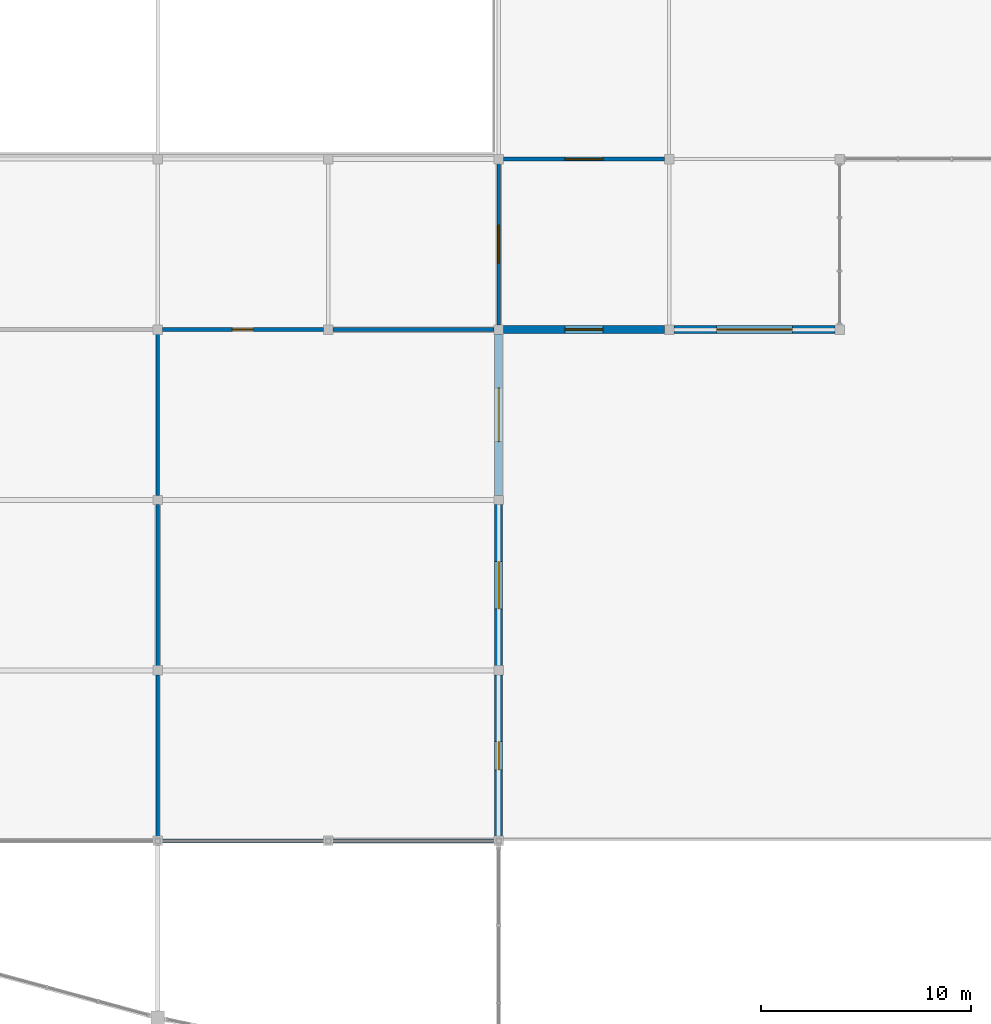
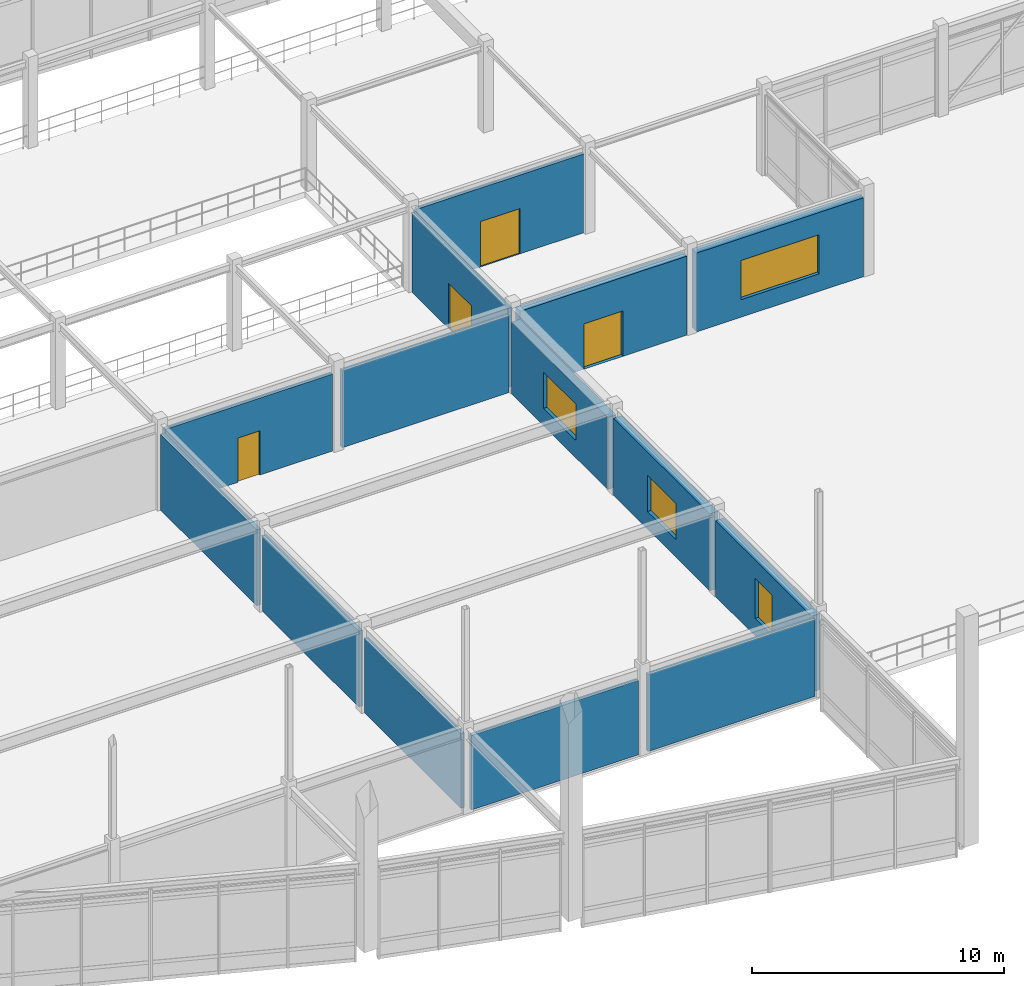
# One storey, part 65 of 89: 14 walls, 4 doors, 4 windows, 8 openings.
"""IFC4 building model written with IfcOpenShell, lengths in metres."""

from ifc_helpers import new_model, si_unit, direction, frame, frame_2d, origin, place, context, subcontext, project, spatial, rectangle, extrude, material, layer, layer_set, type_object, element, fill, save


model = new_model("IFC4")

# Units and contexts
model_context = context("Model", 3, precision=1e-05, world=origin(), true_north=direction((0.0, 1.0)))
body_context = subcontext(model_context, "Body", "Model", "MODEL_VIEW")
ifc_project = project(units=[si_unit("LENGTHUNIT", "METRE"), si_unit("AREAUNIT", "SQUARE_METRE"), si_unit("VOLUMEUNIT", "CUBIC_METRE"), si_unit("PLANEANGLEUNIT", "RADIAN"), si_unit("MASSUNIT", "GRAM", prefix="KILO")], contexts=[model_context])

# Site, building, storey
site_placement = place(None, origin())
site = spatial("IfcSite", under=ifc_project, at=site_placement, CompositionType="ELEMENT")
building_placement = place(site_placement, origin())
building = spatial("IfcBuilding", under=site, at=building_placement, Name="Vaudrelin Polytechnic", CompositionType="ELEMENT")
storey_placement = place(building_placement, frame((0.0, 0.0, 9.68994140625)))
storey = spatial("IfcBuildingStorey", under=building, at=storey_placement, Name="L02", CompositionType="ELEMENT", Elevation=9.68994140625)

# Wall, opening, window
ifc_material_1 = material(Name="Architectural ribbed precast concrete 40 MPa", Category="concrete")
ifc_layer_1 = layer(ifc_material_1, 0.3798828125)
ifc_layer_set_1 = layer_set([ifc_layer_1], Name="Architectural ribbed precast concrete 40 MPa")
wall_type_1 = type_object("IfcWallType", Name="WAL-EW-PREC380", PredefinedType="STANDARD", material=ifc_layer_set_1)
wall_1_placement = place(storey_placement, frame((81.0, 0.222900390625, 0.0), z_axis=(0.0, 0.0, 1.0), x_axis=(0.0, 1.0, 0.0)))
wall_1 = element("IfcWall", 1, at=wall_1_placement, inside=storey, type_object=wall_type_1, Name="Exterior wall L02 E_V2_00", PredefinedType="STANDARD", context=body_context, shape_type="SweptSolid", body=[
    extrude(rectangle(XDim=7.654052734375, YDim=0.3798828125, at=frame_2d((3.8271484375, 0.0))), origin(), (0.0, 0.0, 1.0), 3.68212890625),
])
opening_1_placement = place(wall_1_placement, frame((3.152099609375, 0.0, 0.85009765625)))
opening_1 = element("IfcOpeningElement", 2, at=opening_1_placement, cuts=wall_1, Name="Opening W-L02-E-V2-01", PredefinedType="OPENING", context=body_context, shape_type="SweptSolid", body=[
    extrude(rectangle(XDim=1.35009765625, YDim=1.949951171875, at=frame_2d((0.675048828125, 0.97509765625))), frame((0.0, 0.199951171875, 0.0), z_axis=(0.0, -1.0, 0.0), x_axis=(1.0, 0.0, 0.0)), (0.0, 0.0, 1.0), 0.39990234375),
])
ifc_material_2 = material(Name="Thermally broken aluminium frame with triple low-e glazing", Category="aluminium")
window_type_1 = type_object("IfcWindowType", Name="WIN-WN-14", PartitioningType="SINGLE_PANEL", PredefinedType="WINDOW", material=ifc_material_2)
window_1_placement = place(opening_1_placement, origin())
window_1 = element("IfcWindow", 3, at=window_1_placement, inside=storey, type_object=window_type_1, Name="Facade window L02-E_V2_00", OverallHeight=1.949951171875, OverallWidth=1.35009765625, PartitioningType="SINGLE_PANEL", PredefinedType="WINDOW", context=body_context, shape_type="SweptSolid", body=[
    extrude(rectangle(XDim=1.35009765625, YDim=1.949951171875, at=frame_2d((0.675048828125, 0.97509765625))), frame((0.0, 0.030029296875, 0.0), z_axis=(0.0, -1.0, 0.0), x_axis=(1.0, 0.0, 0.0)), (0.0, 0.0, 1.0), 0.06005859375),
])
fill(opening_1, window_1)

wall_2_placement = place(storey_placement, frame((81.0, 8.322998046875, 0.0), z_axis=(0.0, 0.0, 1.0), x_axis=(0.0, 1.0, 0.0)))
wall_2 = element("IfcWall", 4, at=wall_2_placement, inside=storey, type_object=wall_type_1, Name="Exterior wall L02 E_V2_01", PredefinedType="STANDARD", context=body_context, shape_type="SweptSolid", body=[
    extrude(rectangle(XDim=7.654052734375, YDim=0.3798828125, at=frame_2d((3.8271484375, 0.0))), origin(), (0.0, 0.0, 1.0), 3.732177734375),
])
opening_2_placement = place(wall_2_placement, frame((2.701904296875, 0.0, 0.85009765625)))
opening_2 = element("IfcOpeningElement", 5, at=opening_2_placement, cuts=wall_2, Name="Opening W-L02-E-V2-02", PredefinedType="OPENING", context=body_context, shape_type="SweptSolid", body=[
    extrude(rectangle(XDim=2.25, YDim=1.75, at=frame_2d((1.125, 0.875))), frame((0.0, 0.199951171875, 0.0), z_axis=(0.0, -1.0, 0.0), x_axis=(1.0, 0.0, 0.0)), (0.0, 0.0, 1.0), 0.39990234375),
])
window_type_2 = type_object("IfcWindowType", Name="WIN-WN-15", PartitioningType="SINGLE_PANEL", PredefinedType="WINDOW", material=ifc_material_2)
window_2_placement = place(opening_2_placement, origin())
window_2 = element("IfcWindow", 6, at=window_2_placement, inside=storey, type_object=window_type_2, Name="Facade window L02-E_V2_01", OverallHeight=1.75, OverallWidth=2.25, PartitioningType="SINGLE_PANEL", PredefinedType="WINDOW", context=body_context, shape_type="SweptSolid", body=[
    extrude(rectangle(XDim=2.25, YDim=1.75, at=frame_2d((1.125, 0.875))), frame((0.0, 0.030029296875, 0.0), z_axis=(0.0, -1.0, 0.0), x_axis=(1.0, 0.0, 0.0)), (0.0, 0.0, 1.0), 0.06005859375),
])
fill(opening_2, window_2)

wall_3_placement = place(storey_placement, frame((81.0, 16.423095703125, 0.0), z_axis=(0.0, 0.0, 1.0), x_axis=(0.0, 1.0, 0.0)))
wall_3 = element("IfcWall", 7, at=wall_3_placement, inside=storey, type_object=wall_type_1, Name="Exterior wall L02 E_V2_02", PredefinedType="STANDARD", context=body_context, shape_type="SweptSolid", body=[
    extrude(rectangle(XDim=7.65380859375, YDim=0.3798828125, at=frame_2d((3.826904296875, 0.0))), origin(), (0.0, 0.0, 1.0), 3.491943359375),
])
opening_3_placement = place(wall_3_placement, frame((2.552001953125, 0.0, 0.85009765625)))
opening_3 = element("IfcOpeningElement", 8, at=opening_3_placement, cuts=wall_3, Name="Opening W-L02-E-V2-03", PredefinedType="OPENING", context=body_context, shape_type="SweptSolid", body=[
    extrude(rectangle(XDim=2.550048828125, YDim=1.75, at=frame_2d((1.27490234375, 0.875))), frame((0.0, 0.199951171875, 0.0), z_axis=(0.0, -1.0, 0.0), x_axis=(1.0, 0.0, 0.0)), (0.0, 0.0, 1.0), 0.39990234375),
])
window_type_3 = type_object("IfcWindowType", Name="WIN-WN-16", PartitioningType="SINGLE_PANEL", PredefinedType="WINDOW", material=ifc_material_2)
window_3_placement = place(opening_3_placement, origin())
window_3 = element("IfcWindow", 9, at=window_3_placement, inside=storey, type_object=window_type_3, Name="Facade window L02-E_V2_02", OverallHeight=1.75, OverallWidth=2.550048828125, PartitioningType="SINGLE_PANEL", PredefinedType="WINDOW", context=body_context, shape_type="SweptSolid", body=[
    extrude(rectangle(XDim=2.550048828125, YDim=1.75, at=frame_2d((1.27490234375, 0.875))), frame((0.0, 0.030029296875, 0.0), z_axis=(0.0, -1.0, 0.0), x_axis=(1.0, 0.0, 0.0)), (0.0, 0.0, 1.0), 0.06005859375),
])
fill(opening_3, window_3)

# Wall, opening, door
ifc_material_3 = material(Name="Precast concrete 35 MPa with standing-seam zinc rainscreen", Category="concrete")
ifc_layer_2 = layer(ifc_material_3, 0.360107421875)
ifc_layer_set_2 = layer_set([ifc_layer_2], Name="Precast concrete 35 MPa with standing-seam zinc rainscreen")
wall_type_2 = type_object("IfcWallType", Name="WAL-EW-ZINC360", PredefinedType="STANDARD", material=ifc_layer_set_2)
wall_4_placement = place(storey_placement, frame((81.222900390625, 24.300048828125, 0.0), z_axis=(0.0, 0.0, 1.0), x_axis=(1.0, 0.0, 0.0)))
wall_4 = element("IfcWall", 10, at=wall_4_placement, inside=storey, type_object=wall_type_2, Name="Exterior wall L02 S_RGL_00", PredefinedType="STANDARD", context=body_context, shape_type="SweptSolid", body=[
    extrude(rectangle(XDim=7.654052734375, YDim=0.360107421875, at=frame_2d((3.8271484375, 0.0))), origin(), (0.0, 0.0, 1.0), 3.8359375),
])
opening_4_placement = place(wall_4_placement, frame((4.72705078125, 0.0, 0.0), z_axis=(0.0, 0.0, 1.0), x_axis=(-1.0, 0.0, 0.0)))
opening_4 = element("IfcOpeningElement", 11, at=opening_4_placement, cuts=wall_4, Name="Opening TD-02-01", PredefinedType="OPENING", context=body_context, shape_type="SweptSolid", body=[
    extrude(rectangle(XDim=1.800048828125, YDim=2.199951171875, at=frame_2d((0.89990234375, 1.10009765625))), frame((0.0, 0.18994140625, 0.0), z_axis=(0.0, -1.0, 0.0), x_axis=(1.0, 0.0, 0.0)), (0.0, 0.0, 1.0), 0.380126953125),
])
ifc_material_4 = material(Name="Thermally broken anodised aluminium AA 6063-T6", Category="aluminium")
door_type_1 = type_object("IfcDoorType", Name="DOR-ED-03", OperationType="DOUBLE_SWING_LEFT", PredefinedType="DOOR", material=ifc_material_4)
door_1_placement = place(opening_4_placement, origin())
door_1 = element("IfcDoor", 12, at=door_1_placement, inside=storey, type_object=door_type_1, Name="Exterior exit door TD-02-01", OperationType="DOUBLE_SWING_LEFT", OverallHeight=2.199951171875, OverallWidth=1.800048828125, PredefinedType="DOOR", context=body_context, shape_type="SweptSolid", body=[
    extrude(rectangle(XDim=1.800048828125, YDim=2.199951171875, at=frame_2d((0.89990234375, 1.10009765625))), frame((0.0, 0.02490234375, 0.0), z_axis=(0.0, -1.0, 0.0), x_axis=(1.0, 0.0, 0.0)), (0.0, 0.0, 1.0), 0.050048828125),
])
fill(opening_4, door_1)

# Wall, opening, window
wall_5_placement = place(storey_placement, frame((89.322998046875, 24.300048828125, 0.0), z_axis=(0.0, 0.0, 1.0), x_axis=(1.0, 0.0, 0.0)))
wall_5 = element("IfcWall", 13, at=wall_5_placement, inside=storey, type_object=wall_type_2, Name="Exterior wall L02 S_RGL_01", PredefinedType="STANDARD", context=body_context, shape_type="SweptSolid", body=[
    extrude(rectangle(XDim=7.654052734375, YDim=0.360107421875, at=frame_2d((3.8271484375, 0.0))), origin(), (0.0, 0.0, 1.0), 3.824951171875),
])
opening_5_placement = place(wall_5_placement, frame((2.027099609375, 0.0, 0.85009765625)))
opening_5 = element("IfcOpeningElement", 14, at=opening_5_placement, cuts=wall_5, Name="Opening W-L02-S-RGL-02", PredefinedType="OPENING", context=body_context, shape_type="SweptSolid", body=[
    extrude(rectangle(XDim=3.60009765625, YDim=1.89990234375, at=frame_2d((1.800048828125, 0.949951171875))), frame((0.0, 0.18994140625, 0.0), z_axis=(0.0, -1.0, 0.0), x_axis=(1.0, 0.0, 0.0)), (0.0, 0.0, 1.0), 0.380126953125),
])
window_type_4 = type_object("IfcWindowType", Name="WIN-WN-08", PartitioningType="SINGLE_PANEL", PredefinedType="WINDOW", material=ifc_material_2)
window_4_placement = place(opening_5_placement, origin())
window_4 = element("IfcWindow", 15, at=window_4_placement, inside=storey, type_object=window_type_4, Name="Facade window L02-S_RGL_01", OverallHeight=1.89990234375, OverallWidth=3.60009765625, PartitioningType="SINGLE_PANEL", PredefinedType="WINDOW", context=body_context, shape_type="SweptSolid", body=[
    extrude(rectangle(XDim=3.60009765625, YDim=1.89990234375, at=frame_2d((1.800048828125, 0.949951171875))), frame((0.0, 0.030029296875, 0.0), z_axis=(0.0, -1.0, 0.0), x_axis=(1.0, 0.0, 0.0)), (0.0, 0.0, 1.0), 0.06005859375),
])
fill(opening_5, window_4)

# Walls
ifc_material_5 = material(Name="Acoustic double-stud gypsum & mineral-wool partition", Category="gypsum")
ifc_layer_3 = layer(ifc_material_5, 0.179931640625)
ifc_layer_set_3 = layer_set([ifc_layer_3], Name="Acoustic double-stud gypsum & mineral-wool partition")
wall_type_3 = type_object("IfcWallType", Name="WAL-PW-AC180", PredefinedType="PARTITIONING", material=ifc_layer_set_3)
wall_6_placement = place(storey_placement, frame((64.800048828125, 0.222900390625, 0.0), z_axis=(0.0, 0.0, 1.0), x_axis=(0.0, 1.0, 0.0)))
element("IfcWall", 16, at=wall_6_placement, inside=storey, type_object=wall_type_3, Name="Partition L02-004 E", PredefinedType="PARTITIONING", context=body_context, shape_type="SweptSolid", body=[
    extrude(rectangle(XDim=7.654052734375, YDim=0.179931640625, at=frame_2d((3.8271484375, 0.0))), origin(), (0.0, 0.0, 1.0), 3.609130859375),
])
wall_7_placement = place(storey_placement, frame((64.800048828125, 8.322998046875, 0.0), z_axis=(0.0, 0.0, 1.0), x_axis=(0.0, 1.0, 0.0)))
element("IfcWall", 17, at=wall_7_placement, inside=storey, type_object=wall_type_3, Name="Partition L02-004 E", PredefinedType="PARTITIONING", context=body_context, shape_type="SweptSolid", body=[
    extrude(rectangle(XDim=7.654052734375, YDim=0.179931640625, at=frame_2d((3.8271484375, 0.0))), origin(), (0.0, 0.0, 1.0), 3.678955078125),
])
wall_8_placement = place(storey_placement, frame((64.800048828125, 16.423095703125, 0.0), z_axis=(0.0, 0.0, 1.0), x_axis=(0.0, 1.0, 0.0)))
element("IfcWall", 18, at=wall_8_placement, inside=storey, type_object=wall_type_3, Name="Partition L02-004 E", PredefinedType="PARTITIONING", context=body_context, shape_type="SweptSolid", body=[
    extrude(rectangle(XDim=7.65380859375, YDim=0.179931640625, at=frame_2d((3.826904296875, 0.0))), origin(), (0.0, 0.0, 1.0), 3.68212890625),
])

# Wall, opening, door
wall_9_placement = place(storey_placement, frame((65.02294921875, 24.300048828125, 0.0), z_axis=(0.0, 0.0, 1.0), x_axis=(1.0, 0.0, 0.0)))
wall_9 = element("IfcWall", 19, at=wall_9_placement, inside=storey, type_object=wall_type_3, Name="Partition L02-005 N", PredefinedType="PARTITIONING", context=body_context, shape_type="SweptSolid", body=[
    extrude(rectangle(XDim=7.654052734375, YDim=0.179931640625, at=frame_2d((3.8271484375, 0.0))), origin(), (0.0, 0.0, 1.0), 3.732177734375),
])
opening_6_placement = place(wall_9_placement, frame((3.326904296875, 0.0, 0.0)))
opening_6 = element("IfcOpeningElement", 20, at=opening_6_placement, cuts=wall_9, Name="Opening D-L02-473", PredefinedType="OPENING", context=body_context, shape_type="SweptSolid", body=[
    extrude(rectangle(XDim=1.0, YDim=2.14990234375, at=frame_2d((0.5, 1.074951171875))), frame((0.0, 0.10009765625, 0.0), z_axis=(0.0, -1.0, 0.0), x_axis=(1.0, 0.0, 0.0)), (0.0, 0.0, 1.0), 0.199951171875),
])
ifc_material_6 = material(Name="Solid-core birch veneer acoustic leaf", Category="wood")
door_type_2 = type_object("IfcDoorType", Name="DOR-ID-SEM1", OperationType="NOTDEFINED", PredefinedType="DOOR", material=ifc_material_6)
door_2_placement = place(opening_6_placement, origin())
door_2 = element("IfcDoor", 21, at=door_2_placement, inside=storey, type_object=door_type_2, Name="Active Learning Classroom 202 door L02-005", OperationType="SINGLE_SWING_RIGHT", OverallHeight=2.14990234375, OverallWidth=1.0, PredefinedType="DOOR", context=body_context, shape_type="SweptSolid", body=[
    extrude(rectangle(XDim=1.0, YDim=2.14990234375, at=frame_2d((0.5, 1.074951171875))), frame((0.0, 0.02490234375, 0.0), z_axis=(0.0, -1.0, 0.0), x_axis=(1.0, 0.0, 0.0)), (0.0, 0.0, 1.0), 0.050048828125),
])
fill(opening_6, door_2)

# Walls
wall_10_placement = place(storey_placement, frame((73.123046875, 24.300048828125, 0.0), z_axis=(0.0, 0.0, 1.0), x_axis=(1.0, 0.0, 0.0)))
element("IfcWall", 22, at=wall_10_placement, inside=storey, type_object=wall_type_3, Name="Partition L02-005 N", PredefinedType="PARTITIONING", context=body_context, shape_type="SweptSolid", body=[
    extrude(rectangle(XDim=7.654052734375, YDim=0.179931640625, at=frame_2d((3.8271484375, 0.0))), origin(), (0.0, 0.0, 1.0), 3.72705078125),
])
wall_11_placement = place(storey_placement, frame((65.02294921875, 0.0, 0.0), z_axis=(0.0, 0.0, 1.0), x_axis=(1.0, 0.0, 0.0)))
element("IfcWall", 23, at=wall_11_placement, inside=storey, type_object=wall_type_3, Name="Partition L02-005 S", PredefinedType="PARTITIONING", context=body_context, shape_type="SweptSolid", body=[
    extrude(rectangle(XDim=7.654052734375, YDim=0.179931640625, at=frame_2d((3.8271484375, 0.0))), origin(), (0.0, 0.0, 1.0), 3.609130859375),
])
wall_12_placement = place(storey_placement, frame((73.123046875, 0.0, 0.0), z_axis=(0.0, 0.0, 1.0), x_axis=(1.0, 0.0, 0.0)))
element("IfcWall", 24, at=wall_12_placement, inside=storey, type_object=wall_type_3, Name="Partition L02-005 S", PredefinedType="PARTITIONING", context=body_context, shape_type="SweptSolid", body=[
    extrude(rectangle(XDim=7.654052734375, YDim=0.179931640625, at=frame_2d((3.8271484375, 0.0))), origin(), (0.0, 0.0, 1.0), 3.72705078125),
])

# Wall, opening, door
wall_13_placement = place(storey_placement, frame((81.0, 24.52294921875, 0.0), z_axis=(0.0, 0.0, 1.0), x_axis=(0.0, 1.0, 0.0)))
wall_13 = element("IfcWall", 25, at=wall_13_placement, inside=storey, type_object=wall_type_3, Name="Interior partition L02 10-3 to 10-4", PredefinedType="PARTITIONING", context=body_context, shape_type="SweptSolid", body=[
    extrude(rectangle(XDim=7.654052734375, YDim=0.179931640625, at=frame_2d((3.8271484375, 0.0))), origin(), (0.0, 0.0, 1.0), 3.8359375),
])
opening_7_placement = place(wall_13_placement, frame((2.927001953125, 0.0, 0.0)))
opening_7 = element("IfcOpeningElement", 26, at=opening_7_placement, cuts=wall_13, Name="Opening D-L02-585", PredefinedType="OPENING", context=body_context, shape_type="SweptSolid", body=[
    extrude(rectangle(XDim=1.800048828125, YDim=2.199951171875, at=frame_2d((0.89990234375, 1.10009765625))), frame((0.0, 0.10009765625, 0.0), z_axis=(0.0, -1.0, 0.0), x_axis=(1.0, 0.0, 0.0)), (0.0, 0.0, 1.0), 0.199951171875),
])
ifc_material_7 = material(Name="Pressed galvanised steel acoustic leaf", Category="steel")
door_type_3 = type_object("IfcDoorType", Name="DOR-ID-DBL1", OperationType="NOTDEFINED", PredefinedType="DOOR", material=ifc_material_7)
door_3_placement = place(opening_7_placement, origin())
door_3 = element("IfcDoor", 27, at=door_3_placement, inside=storey, type_object=door_type_3, Name="Wedge Level 2 east concourse double door L02", OperationType="DOUBLE_SWING_LEFT", OverallHeight=2.199951171875, OverallWidth=1.800048828125, PredefinedType="DOOR", context=body_context, shape_type="SweptSolid", body=[
    extrude(rectangle(XDim=1.800048828125, YDim=2.199951171875, at=frame_2d((0.89990234375, 1.10009765625))), frame((0.0, 0.02490234375, 0.0), z_axis=(0.0, -1.0, 0.0), x_axis=(1.0, 0.0, 0.0)), (0.0, 0.0, 1.0), 0.050048828125),
])
fill(opening_7, door_3)

wall_14_placement = place(storey_placement, frame((81.222900390625, 32.39990234375, 0.0), z_axis=(0.0, 0.0, 1.0), x_axis=(1.0, 0.0, 0.0)))
wall_14 = element("IfcWall", 28, at=wall_14_placement, inside=storey, type_object=wall_type_3, Name="Interior partition L02 10-4 to 11-4", PredefinedType="PARTITIONING", context=body_context, shape_type="SweptSolid", body=[
    extrude(rectangle(XDim=7.654052734375, YDim=0.179931640625, at=frame_2d((3.8271484375, 0.0))), origin(), (0.0, 0.0, 1.0), 3.824951171875),
])
opening_8_placement = place(wall_14_placement, frame((2.927001953125, 0.0, 0.0)))
opening_8 = element("IfcOpeningElement", 29, at=opening_8_placement, cuts=wall_14, Name="Opening D-L02-586", PredefinedType="OPENING", context=body_context, shape_type="SweptSolid", body=[
    extrude(rectangle(XDim=1.800048828125, YDim=2.199951171875, at=frame_2d((0.89990234375, 1.10009765625))), frame((0.0, 0.10009765625, 0.0), z_axis=(0.0, -1.0, 0.0), x_axis=(1.0, 0.0, 0.0)), (0.0, 0.0, 1.0), 0.199951171875),
])
door_4_placement = place(opening_8_placement, origin())
door_4 = element("IfcDoor", 30, at=door_4_placement, inside=storey, type_object=door_type_3, Name="Roof garden vestibule concourse door L02", OperationType="DOUBLE_SWING_LEFT", OverallHeight=2.199951171875, OverallWidth=1.800048828125, PredefinedType="DOOR", context=body_context, shape_type="SweptSolid", body=[
    extrude(rectangle(XDim=1.800048828125, YDim=2.199951171875, at=frame_2d((0.89990234375, 1.10009765625))), frame((0.0, 0.02490234375, 0.0), z_axis=(0.0, -1.0, 0.0), x_axis=(1.0, 0.0, 0.0)), (0.0, 0.0, 1.0), 0.050048828125),
])
fill(opening_8, door_4)

save(model, "model.ifc")
